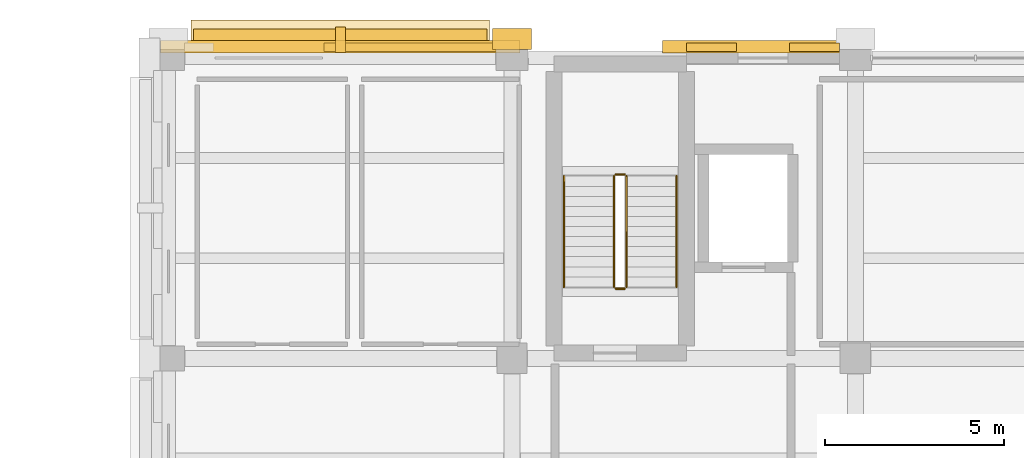
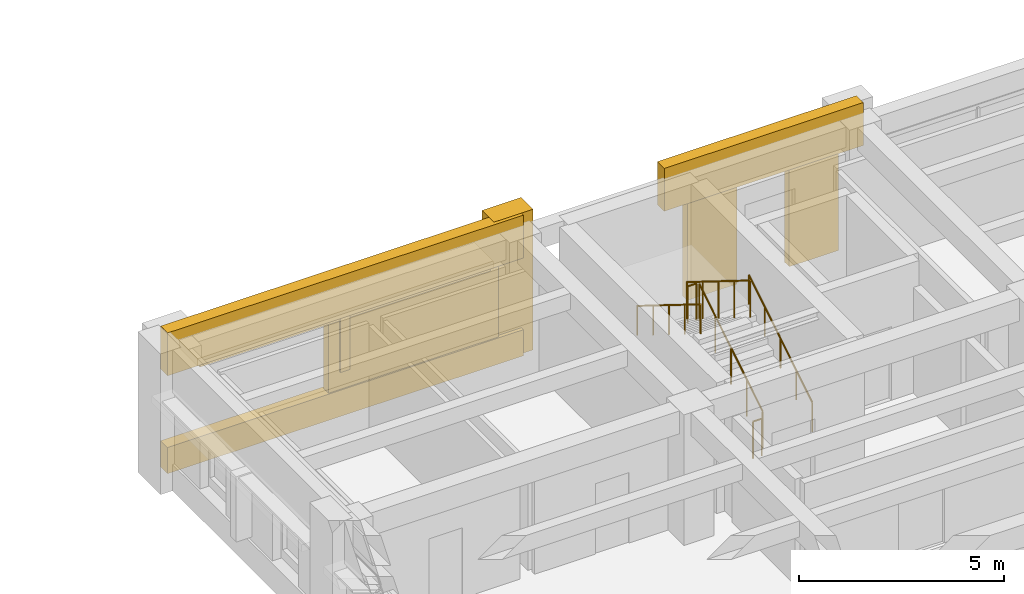
# One storey, part 56 of 58: 9 coverings, 6 railings, 1 shading device.
"""IFC4 building model written with IfcOpenShell, lengths in metres."""

from ifc_helpers import new_model, si_unit, direction, frame, origin, origin_2d, place, context, subcontext, project, spatial, rectangle, circle, extrude, material, layer, layer_set, type_object, element, save


model = new_model("IFC4")

# Units and contexts
model_context = context("Model", 3, precision=1e-05, world=origin(), true_north=direction((0.0, 1.0)))
body_context = subcontext(model_context, "Body", "Model", "MODEL_VIEW")
ifc_project = project(units=[si_unit("LENGTHUNIT", "METRE"), si_unit("AREAUNIT", "SQUARE_METRE"), si_unit("VOLUMEUNIT", "CUBIC_METRE"), si_unit("PLANEANGLEUNIT", "RADIAN"), si_unit("MASSUNIT", "GRAM", prefix="KILO")], contexts=[model_context])

# Site, building, storey
site_placement = place(None, origin())
site = spatial("IfcSite", under=ifc_project, at=site_placement, CompositionType="ELEMENT")
building_placement = place(site_placement, origin())
building = spatial("IfcBuilding", under=site, at=building_placement, Name="Bempovik Park Faculty of Sciences", CompositionType="ELEMENT")
storey_placement = place(building_placement, frame((0.0, 0.0, 18.300048828125)))
storey = spatial("IfcBuildingStorey", under=building, at=storey_placement, Name="L04", CompositionType="ELEMENT", Elevation=18.300048828125)

# Coverings
ifc_material_1 = material(Name="Precast concrete C40/50", Category="concrete")
ifc_layer_1 = layer(ifc_material_1, 0.179931640625)
ifc_layer_set_1 = layer_set([ifc_layer_1], Name="Precast concrete C40/50")
covering_type_1 = type_object("IfcCoveringType", Name="CL-02 Classical Cornice Band 180mm", PredefinedType="CLADDING", material=ifc_layer_set_1)
covering_1_placement = place(storey_placement, frame((64.800048828125, 120.0, 2.91015625), z_axis=(0.0, 0.0, 1.0), x_axis=(1.0, 0.0, 0.0)))
element("IfcCovering", 1, at=covering_1_placement, inside=storey, type_object=covering_type_1, Name="L04 Classical Stone Solar Window Hood EW-L04-9750", PredefinedType="CLADDING", context=body_context, shape_type="SweptSolid", body=[
    extrude(rectangle(XDim=8.345947265625, YDim=0.919921875, at=origin_2d()), origin(), (0.0, 0.0, 1.0), 0.219970703125),
])
ifc_material_2 = material(Name="White reconstituted limestone precast C40/50", Category="masonry")
ifc_layer_2 = layer(ifc_material_2, 0.239990234375)
ifc_layer_set_2 = layer_set([ifc_layer_2], Name="White reconstituted limestone precast C40/50")
covering_type_2 = type_object("IfcCoveringType", Name="CL-03 Classical Fluted Limestone Pilaster 240mm", PredefinedType="CLADDING", material=ifc_layer_set_2)
covering_2_placement = place(storey_placement, frame((64.800048828125, 119.7099609375, 2.919921875), z_axis=(0.0, 0.0, 1.0), x_axis=(1.0, 0.0, 0.0)))
element("IfcCovering", 2, at=covering_2_placement, inside=storey, type_object=covering_type_2, Name="L04 Classical Limestone Spandrel Entablature EW-L04-9750", PredefinedType="CLADDING", context=body_context, shape_type="SweptSolid", body=[
    extrude(rectangle(XDim=10.0458984375, YDim=0.340087890625, at=origin_2d()), origin(), (0.0, 0.0, 1.0), 1.280029296875),
])
covering_3_placement = place(storey_placement, frame((64.800048828125, 119.7099609375, 0.0), z_axis=(0.0, 0.0, 1.0), x_axis=(1.0, 0.0, 0.0)))
element("IfcCovering", 3, at=covering_3_placement, inside=storey, type_object=covering_type_2, Name="L04 Classical Limestone Sill Dado EW-L04-9750", PredefinedType="CLADDING", context=body_context, shape_type="SweptSolid", body=[
    extrude(rectangle(XDim=10.0458984375, YDim=0.340087890625, at=origin_2d()), origin(), (0.0, 0.0, 1.0), 0.780029296875),
])
covering_4_placement = place(storey_placement, frame((69.60009765625, 119.929931640625, 0.0), z_axis=(0.0, 0.0, 1.0), x_axis=(1.0, 0.0, 0.0)))
element("IfcCovering", 4, at=covering_4_placement, inside=storey, type_object=covering_type_2, Name="L04 Classical Fluted Stone Pilaster PIL-BA-L04-696-1199", PredefinedType="CLADDING", context=body_context, shape_type="SweptSolid", body=[
    extrude(rectangle(XDim=1.10009765625, YDim=0.580078125, at=origin_2d()), origin(), (0.0, 0.0, 1.0), 4.199951171875),
])
covering_5_placement = place(storey_placement, frame((66.743896484375, 119.699951171875, 0.0), z_axis=(0.0, 0.0, 1.0), x_axis=(1.0, 0.0, 0.0)))
element("IfcCovering", 5, at=covering_5_placement, inside=storey, type_object=covering_type_2, Name="L04 White Limestone Wall Cheek EW-L04-9750-2", PredefinedType="CLADDING", context=body_context, shape_type="SweptSolid", body=[
    extrude(rectangle(XDim=4.80810546875, YDim=0.239990234375, at=origin_2d()), origin(), (0.0, 0.0, 1.0), 3.080078125),
])
covering_6_placement = place(storey_placement, frame((64.800048828125, 119.909912109375, 1.300048828125), z_axis=(0.0, 0.0, 1.0), x_axis=(1.0, 0.0, 0.0)))
element("IfcCovering", 6, at=covering_6_placement, inside=storey, type_object=covering_type_2, Name="L04 Classical Vertical Stone Shading Fin EW-L04-9750", PredefinedType="CLADDING", context=body_context, shape_type="SweptSolid", body=[
    extrude(rectangle(XDim=0.280029296875, YDim=0.719970703125, at=origin_2d()), origin(), (0.0, 0.0, 1.0), 1.64990234375),
])
covering_7_placement = place(storey_placement, frame((76.612060546875, 119.7099609375, 2.919921875), z_axis=(0.0, 0.0, 1.0), x_axis=(1.0, 0.0, 0.0)))
element("IfcCovering", 7, at=covering_7_placement, inside=storey, type_object=covering_type_2, Name="L04 Classical Limestone Spandrel Entablature EW-L04-9761", PredefinedType="CLADDING", context=body_context, shape_type="SweptSolid", body=[
    extrude(rectangle(XDim=5.6220703125, YDim=0.340087890625, at=origin_2d()), origin(), (0.0, 0.0, 1.0), 1.280029296875),
])
for number, where, z_axis, x_axis, name in (
    (8, (75.174072265625, 119.699951171875, 0.0), (0.0, 0.0, 1.0), (1.0, 0.0, 0.0), "L04 Stairwell White Limestone Cheek EW-L04-9761-1"),
    (9, (78.050048828125, 119.699951171875, 0.0), (0.0, 0.0, 1.0), (1.0, 0.0, 0.0), "L04 Stairwell White Limestone Cheek EW-L04-9761-2"),
):
    element("IfcCovering", number, at=place(storey_placement, frame(where, z_axis=z_axis, x_axis=x_axis)), inside=storey, type_object=covering_type_2, Name=name, PredefinedType="CLADDING", context=body_context, shape_type="SweptSolid", body=[
        extrude(rectangle(XDim=1.39599609375, YDim=0.239990234375, at=origin_2d()), origin(), (0.0, 0.0, 1.0), 3.080078125),
    ])

# Railings
ifc_material_3 = material(Name="Anodised architectural bronze")
railing_type_1 = type_object("IfcRailingType", Name="GR-01 Guardrail 1120mm", PredefinedType="GUARDRAIL", material=ifc_material_3)
railing_1_placement = place(storey_placement, frame((72.800048828125, 113.0, 0.175048828125)))
element("IfcRailing", 10, at=railing_1_placement, inside=storey, type_object=railing_type_1, Name="L04 ST-1 Stair Guard 1", PredefinedType="GUARDRAIL", context=body_context, shape_type="SweptSolid", body=[
    extrude(circle(Radius=0.02392578125, at=origin_2d()), frame((0.0, 0.0, 1.09619140625), z_axis=(0.0, 0.849080647218, 0.528263243582), x_axis=(-1.0, 0.0, 0.0)), (0.0, 0.0, 1.0), 3.6435546875),
    extrude(circle(Radius=0.02099609375, at=origin_2d()), origin(), (0.0, 0.0, 1.0), 1.072021484375),
    extrude(circle(Radius=0.02099609375, at=origin_2d()), frame((0.0, 0.7734375, 0.481201171875)), (0.0, 0.0, 1.0), 1.072021484375),
    extrude(circle(Radius=0.02099609375, at=origin_2d()), frame((0.0, 1.546875, 0.96240234375)), (0.0, 0.0, 1.0), 1.072021484375),
    extrude(circle(Radius=0.02099609375, at=origin_2d()), frame((0.0, 2.3203125, 1.443603515625)), (0.0, 0.0, 1.0), 1.072021484375),
    extrude(circle(Radius=0.02099609375, at=origin_2d()), frame((0.0, 3.09375, 1.9248046875)), (0.0, 0.0, 1.0), 1.072021484375),
])
railing_2_placement = place(storey_placement, frame((72.75, 116.143798828125, 2.099853515625)))
element("IfcRailing", 11, at=railing_2_placement, inside=storey, type_object=railing_type_1, Name="L04 ST-1 Stair Guard 2", PredefinedType="GUARDRAIL", context=body_context, shape_type="SweptSolid", body=[
    extrude(circle(Radius=0.02392578125, at=origin_2d()), frame((0.0, 0.0, 1.09619140625), z_axis=(-1.0, 0.0, 0.0), x_axis=(0.0, -1.0, 0.0)), (0.0, 0.0, 1.0), 0.25),
    extrude(circle(Radius=0.02099609375, at=origin_2d()), origin(), (0.0, 0.0, 1.0), 1.072021484375),
    extrude(circle(Radius=0.02099609375, at=origin_2d()), frame((-0.25, 0.0, 0.0)), (0.0, 0.0, 1.0), 1.072021484375),
])
railing_3_placement = place(storey_placement, frame((72.449951171875, 116.09375, 2.27490234375)))
element("IfcRailing", 12, at=railing_3_placement, inside=storey, type_object=railing_type_1, Name="L04 ST-1 Stair Guard 3", PredefinedType="GUARDRAIL", context=body_context, shape_type="SweptSolid", body=[
    extrude(circle(Radius=0.02392578125, at=origin_2d()), frame((0.0, 0.0, 1.09619140625), z_axis=(0.0, -0.84905059285, 0.528311547082), x_axis=(1.0, 0.0, 0.0)), (0.0, 0.0, 1.0), 3.643798828125),
    extrude(circle(Radius=0.02099609375, at=origin_2d()), origin(), (0.0, 0.0, 1.0), 1.072021484375),
    extrude(circle(Radius=0.02099609375, at=origin_2d()), frame((0.0, -0.7734375, 0.481201171875)), (0.0, 0.0, 1.0), 1.072021484375),
    extrude(circle(Radius=0.02099609375, at=origin_2d()), frame((0.0, -1.546875, 0.96240234375)), (0.0, 0.0, 1.0), 1.072021484375),
    extrude(circle(Radius=0.02099609375, at=origin_2d()), frame((0.0, -2.3203125, 1.44384765625)), (0.0, 0.0, 1.0), 1.072021484375),
    extrude(circle(Radius=0.02099609375, at=origin_2d()), frame((0.0, -3.09375, 1.925048828125)), (0.0, 0.0, 1.0), 1.072021484375),
])
railing_4_placement = place(storey_placement, frame((72.75, 112.949951171875, 0.0)))
element("IfcRailing", 13, at=railing_4_placement, inside=storey, type_object=railing_type_1, Name="L04 ST-1 Stair Guard 4", PredefinedType="GUARDRAIL", context=body_context, shape_type="SweptSolid", body=[
    extrude(circle(Radius=0.02392578125, at=origin_2d()), frame((0.0, 0.0, 1.09619140625), z_axis=(-1.0, 0.0, 0.0), x_axis=(0.0, -1.0, 0.0)), (0.0, 0.0, 1.0), 0.25),
    extrude(circle(Radius=0.02099609375, at=origin_2d()), origin(), (0.0, 0.0, 1.0), 1.072021484375),
    extrude(circle(Radius=0.02099609375, at=origin_2d()), frame((-0.25, 0.0, 0.0)), (0.0, 0.0, 1.0), 1.072021484375),
])
railing_type_2 = type_object("IfcRailingType", Name="HR-01 Wall Handrail 900mm", PredefinedType="HANDRAIL", material=ifc_material_3)
railing_5_placement = place(storey_placement, frame((74.199951171875, 113.0, 0.175048828125)))
element("IfcRailing", 14, at=railing_5_placement, inside=storey, type_object=railing_type_2, Name="L04 ST-1 Stair Handrail 1", PredefinedType="HANDRAIL", context=body_context, shape_type="SweptSolid", body=[
    extrude(circle(Radius=0.02392578125, at=origin_2d()), frame((0.0, 0.0, 0.8759765625), z_axis=(0.0, 0.849080647218, 0.528263243582), x_axis=(-1.0, 0.0, 0.0)), (0.0, 0.0, 1.0), 3.6435546875),
    extrude(circle(Radius=0.02099609375, at=origin_2d()), origin(), (0.0, 0.0, 1.0), 0.851806640625),
    extrude(circle(Radius=0.02099609375, at=origin_2d()), frame((0.0, 0.7734375, 0.481201171875)), (0.0, 0.0, 1.0), 0.851806640625),
    extrude(circle(Radius=0.02099609375, at=origin_2d()), frame((0.0, 1.546875, 0.96240234375)), (0.0, 0.0, 1.0), 0.851806640625),
    extrude(circle(Radius=0.02099609375, at=origin_2d()), frame((0.0, 2.3203125, 1.443603515625)), (0.0, 0.0, 1.0), 0.851806640625),
    extrude(circle(Radius=0.02099609375, at=origin_2d()), frame((0.0, 3.09375, 1.9248046875)), (0.0, 0.0, 1.0), 0.851806640625),
])
railing_6_placement = place(storey_placement, frame((71.050048828125, 116.09375, 2.27490234375)))
element("IfcRailing", 15, at=railing_6_placement, inside=storey, type_object=railing_type_2, Name="L04 ST-1 Stair Handrail 2", PredefinedType="HANDRAIL", context=body_context, shape_type="SweptSolid", body=[
    extrude(circle(Radius=0.02392578125, at=origin_2d()), frame((0.0, 0.0, 0.8759765625), z_axis=(0.0, -0.84905059285, 0.528311547082), x_axis=(1.0, 0.0, 0.0)), (0.0, 0.0, 1.0), 3.643798828125),
    extrude(circle(Radius=0.02099609375, at=origin_2d()), origin(), (0.0, 0.0, 1.0), 0.851806640625),
    extrude(circle(Radius=0.02099609375, at=origin_2d()), frame((0.0, -0.7734375, 0.481201171875)), (0.0, 0.0, 1.0), 0.851806640625),
    extrude(circle(Radius=0.02099609375, at=origin_2d()), frame((0.0, -1.546875, 0.96240234375)), (0.0, 0.0, 1.0), 0.851806640625),
    extrude(circle(Radius=0.02099609375, at=origin_2d()), frame((0.0, -2.3203125, 1.44384765625)), (0.0, 0.0, 1.0), 0.851806640625),
    extrude(circle(Radius=0.02099609375, at=origin_2d()), frame((0.0, -3.09375, 1.925048828125)), (0.0, 0.0, 1.0), 0.851806640625),
])

# Shading device
ifc_layer_3 = layer(ifc_material_3, 0.06005859375)
ifc_layer_set_3 = layer_set([ifc_layer_3], Name="Anodised architectural bronze")
shading_device_type = type_object("IfcShadingDeviceType", Name="SH-01 Bronze Brise-Soleil Fin", PredefinedType="USERDEFINED", material=ifc_layer_set_3)
shading_device_placement = place(storey_placement, frame((64.800048828125, 119.8798828125, 2.849853515625), z_axis=(0.0, 0.0, 1.0), x_axis=(1.0, 0.0, 0.0)))
element("IfcShadingDevice", 16, at=shading_device_placement, inside=storey, type_object=shading_device_type, Name="L04 Equatorial Bronze Brise-Soleil EW-L04-9750", ObjectType="BRISE SOLEIL", PredefinedType="USERDEFINED", context=body_context, shape_type="SweptSolid", body=[
    extrude(rectangle(XDim=8.196044921875, YDim=0.64990234375, at=origin_2d()), origin(), (0.0, 0.0, 1.0), 0.06005859375),
])

save(model, "model.ifc")
